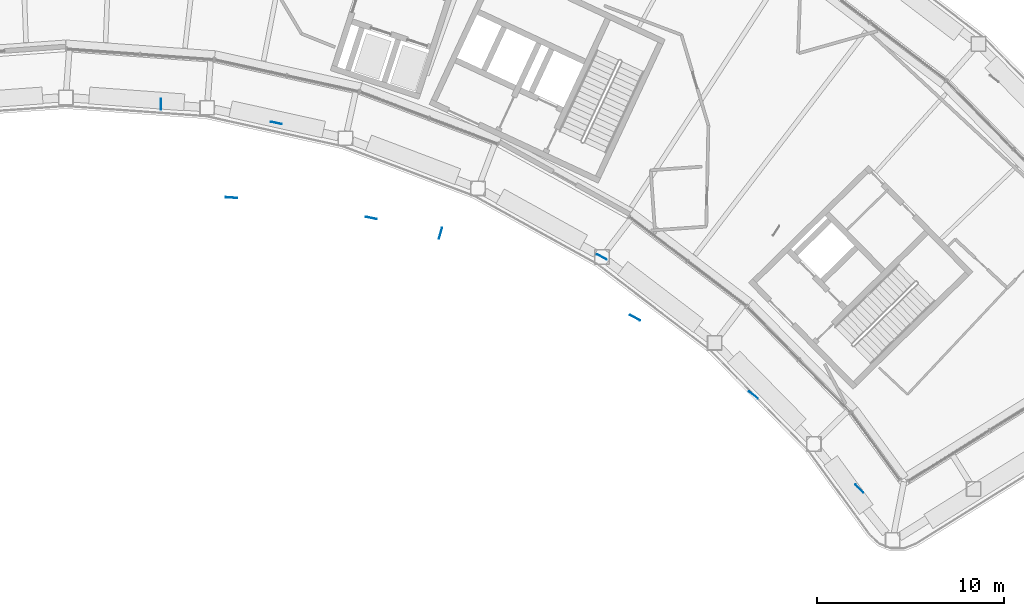
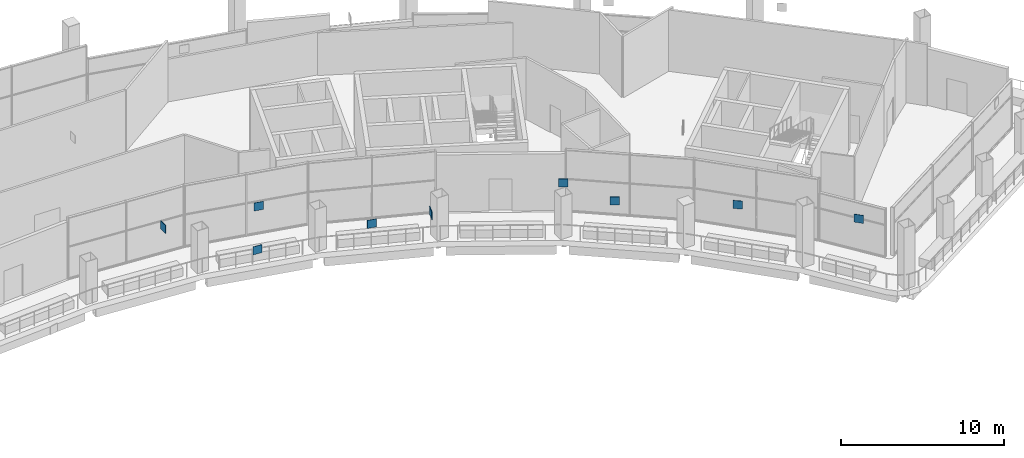
# One storey, part 23 of 29: 9 discrete accessories.
"""IFC4 building model written with IfcOpenShell, lengths in metres."""

from ifc_helpers import new_model, si_unit, direction, frame, origin, origin_2d, place, context, subcontext, project, spatial, rectangle, extrude, material, type_object, element, save


model = new_model("IFC4")

# Units and contexts
model_context = context("Model", 3, precision=1e-05, world=origin(), true_north=direction((0.0, 1.0)))
body_context = subcontext(model_context, "Body", "Model", "MODEL_VIEW")
ifc_project = project(units=[si_unit("LENGTHUNIT", "METRE"), si_unit("AREAUNIT", "SQUARE_METRE"), si_unit("VOLUMEUNIT", "CUBIC_METRE"), si_unit("PLANEANGLEUNIT", "RADIAN"), si_unit("MASSUNIT", "GRAM", prefix="KILO")], contexts=[model_context])

# Site, building, storey
site_placement = place(None, origin())
site = spatial("IfcSite", under=ifc_project, at=site_placement, CompositionType="ELEMENT")
building_placement = place(site_placement, origin())
building = spatial("IfcBuilding", under=site, at=building_placement, Name="Tuul Gate Civic Tower", CompositionType="ELEMENT")
storey_placement = place(building_placement, frame((0.0, 0.0, 238.89990234375)))
storey = spatial("IfcBuildingStorey", under=building, at=storey_placement, Name="Sky garden level 2", CompositionType="ELEMENT", Elevation=238.89990234375)

# Discrete accessories
ifc_material = material(Name="Steel S355", Category="steel")
discrete_accessory_type = type_object("IfcDiscreteAccessoryType", Name="Gusset plate", PredefinedType="BRACKET", material=ifc_material)
for number, where, z_axis, x_axis, name in (
    (1, (26.01513671875, -10.064697265625, 3.595947265625), (0.0, 0.0, 1.0), (0.285212112775, 0.958464423297, 0.0), "Gusset plate"),
    (2, (11.031005859375, -3.1591796875, 3.5966796875), (0.0, 0.0, 1.0), (0.0, 1.0, 0.0), "Gusset plate"),
    (3, (42.777587890625, -18.7294921875, 3.59619140625), (0.0, 0.0, 1.0), (-0.795664473939, 0.60573760401, 0.0), "Gusset plate"),
    (4, (34.665771484375, -11.338623046875, 3.5966796875), (0.0, 0.0, 1.0), (-0.874598044765, 0.484848698146, 0.0), "Gusset plate"),
    (5, (22.31005859375, -9.2470703125, 3.59619140625), (0.0, 0.0, 1.0), (-0.97656368755, 0.215228632292, 0.0), "Gusset plate"),
    (6, (14.81689453125, -8.156005859375, 3.59619140625), (0.0, 0.0, 1.0), (-0.997391397567, 0.072183100928, 0.0), "Gusset plate"),
    (7, (36.4375, -14.589599609375, 3.59619140625), (0.0, 0.0, 1.0), (-0.874567071306, 0.48490456565, 0.0), "Gusset plate"),
    (8, (48.455078125, -23.739501953125, 3.59619140625), (0.0, 0.0, 1.0), (-0.700023993072, 0.714119324149, 0.0), "Gusset plate"),
    (9, (17.218505859375, -4.156005859375, 3.59619140625), (0.0, 0.0, 1.0), (-0.976557586686, 0.21525631207, 0.0), "Gusset plate"),
):
    element("IfcDiscreteAccessory", number, at=place(storey_placement, frame(where, z_axis=z_axis, x_axis=x_axis)), inside=storey, type_object=discrete_accessory_type, Name=name, PredefinedType="BRACKET", context=body_context, shape_type="SweptSolid", body=[
        extrude(rectangle(XDim=0.60009765625, YDim=0.030029296875, at=origin_2d()), origin(), (0.0, 0.0, 1.0), 0.60009765625),
    ])

save(model, "model.ifc")
